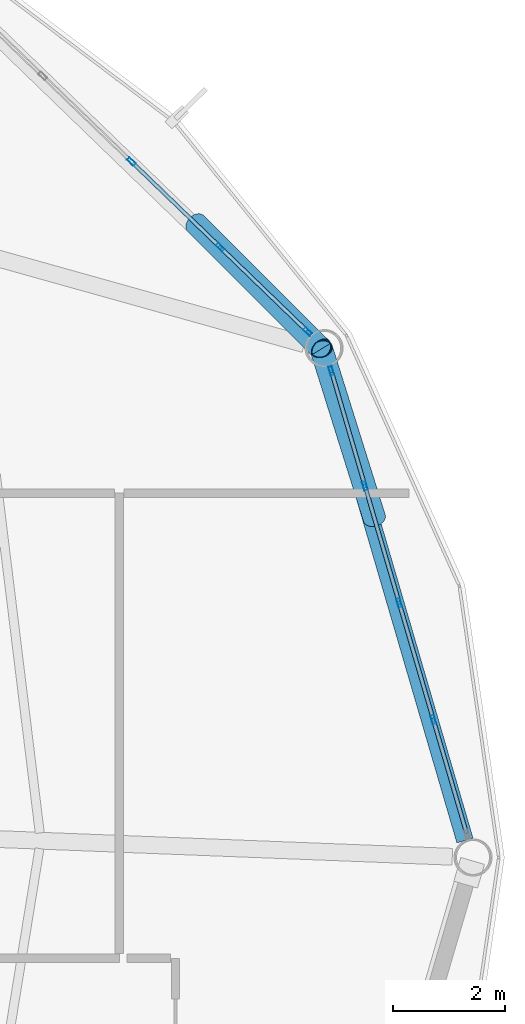
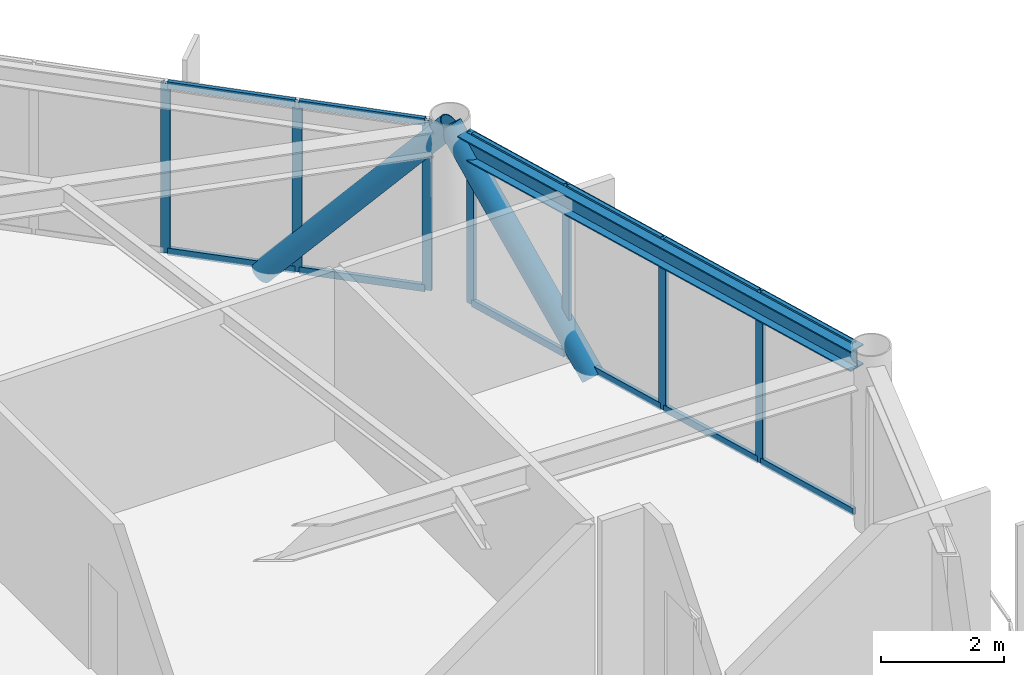
# One storey, part 16 of 26: 21 members, 1 beam, 2 elements without a shape of their own.
"""IFC4 building model written with IfcOpenShell, lengths in metres."""

from ifc_helpers import new_model, si_unit, direction, frame, origin, origin_2d, place, context, subcontext, project, spatial, hollow_rectangle, hollow_circle, i_section, extrude, material, layer, layer_set, material_profile, profile_set, type_object, element, aggregate, save


model = new_model("IFC4")

# Units and contexts
model_context = context("Model", 3, precision=1e-05, world=origin(), true_north=direction((0.0, 1.0)))
body_context = subcontext(model_context, "Body", "Model", "MODEL_VIEW")
ifc_project = project(units=[si_unit("LENGTHUNIT", "METRE"), si_unit("AREAUNIT", "SQUARE_METRE"), si_unit("VOLUMEUNIT", "CUBIC_METRE"), si_unit("PLANEANGLEUNIT", "RADIAN"), si_unit("MASSUNIT", "GRAM", prefix="KILO")], contexts=[model_context])

# Site, building, storey
site_placement = place(None, origin())
site = spatial("IfcSite", under=ifc_project, at=site_placement, CompositionType="ELEMENT")
building_placement = place(site_placement, origin())
building = spatial("IfcBuilding", under=site, at=building_placement, Name="Varnakorn Sky Granary", CompositionType="ELEMENT")
storey_placement = place(building_placement, frame((0.0, 0.0, 222.0)))
storey = spatial("IfcBuildingStorey", under=building, at=storey_placement, Name="L56", CompositionType="ELEMENT", Elevation=222.0)

# Beam
ifc_material_1 = material(Name="Steel S355JR", Category="steel")
ifc_material_profile_1 = material_profile(ifc_material_1, i_section(OverallWidth=0.300048828125, OverallDepth=0.39990234375, WebThickness=0.013427734375, FlangeThickness=0.02392578125, at=origin_2d()), Name="HE 400 B")
ifc_profile_set_1 = profile_set([ifc_material_profile_1], Name="Steel S355JR")
beam_type = type_object("IfcBeamType", Name="BM-SPD-Z4", PredefinedType="SPANDREL", material=ifc_profile_set_1)
beam_placement = place(storey_placement, frame((23.663818359375, 0.302490234375, 3.159912109375), z_axis=(-0.280394349961, 0.959884893365, 0.0), x_axis=(-0.959884893365, -0.280394349961, 0.0)))
element("IfcBeam", 1, at=beam_placement, inside=storey, type_object=beam_type, Name="Perimeter Spandrel Ring Beam RB01 L56", PredefinedType="SPANDREL", context=body_context, shape_type="SweptSolid", body=[
    extrude(i_section(OverallWidth=0.300048828125, OverallDepth=0.39990234375, WebThickness=0.013427734375, FlangeThickness=0.02392578125, at=origin_2d()), origin(), (0.0, 0.0, 1.0), 8.8193359375),
])

# Curtain wall, members
ifc_material_2 = material(Name="Anodised Bronze Aluminium Alloy 6063-T6", Category="aluminium")
ifc_layer = layer(ifc_material_2, 0.169921875, Name="Anodised Bronze Aluminium Alloy 6063-T6")
ifc_layer_set = layer_set([ifc_layer], Name="Anodised Bronze Aluminium Alloy 6063-T6")
curtain_wall_type = type_object("IfcCurtainWallType", Name="CW-LAB-1", PredefinedType="USERDEFINED", material=ifc_layer_set)
curtain_wall_1_placement = place(storey_placement, origin())
curtain_wall_1 = element("IfcCurtainWall", 2, at=curtain_wall_1_placement, inside=storey, type_object=curtain_wall_type, Name="Unitised Curtain Wall CW5 CW-L56-B01", ObjectType="CURTAIN WALL", PredefinedType="USERDEFINED")
ifc_material_profile_2 = material_profile(ifc_material_2, hollow_rectangle(XDim=0.06494140625, YDim=0.159912109375, WallThickness=0.00341796875, at=origin_2d()), Name="ALU MULL 65x160")
ifc_profile_set_2 = profile_set([ifc_material_profile_2], Name="Anodised Bronze Aluminium Alloy 6063-T6")
member_type_1 = type_object("IfcMemberType", Name="CW-LAB-1-MULL", PredefinedType="MULLION", material=ifc_profile_set_2)
member_1_placement = place(storey_placement, frame((21.279296875, 8.68212890625, 0.0), z_axis=(0.0, 0.0, 1.0), x_axis=(0.959779398669, 0.280755241964, 0.0)))
member_1 = element("IfcMember", 3, at=member_1_placement, type_object=member_type_1, Name="CW5 mullion 1", PredefinedType="MULLION", context=body_context, shape_type="SweptSolid", body=[
    extrude(hollow_rectangle(XDim=0.06494140625, YDim=0.159912109375, WallThickness=0.00341796875, at=origin_2d()), origin(), (0.0, 0.0, 1.0), 3.360107421875),
])
member_2_placement = place(storey_placement, frame((21.880126953125, 6.62841796875, 0.0), z_axis=(0.0, 0.0, 1.0), x_axis=(0.959779398669, 0.280755241964, 0.0)))
member_2 = element("IfcMember", 4, at=member_2_placement, type_object=member_type_1, Name="CW5 mullion 2", PredefinedType="MULLION", context=body_context, shape_type="SweptSolid", body=[
    extrude(hollow_rectangle(XDim=0.06494140625, YDim=0.159912109375, WallThickness=0.00341796875, at=origin_2d()), origin(), (0.0, 0.0, 1.0), 3.360107421875),
])
member_3_placement = place(storey_placement, frame((22.48974609375, 4.543701171875, 0.0), z_axis=(0.0, 0.0, 1.0), x_axis=(0.959779398669, 0.280755241964, 0.0)))
member_3 = element("IfcMember", 5, at=member_3_placement, type_object=member_type_1, Name="CW5 mullion 3", PredefinedType="MULLION", context=body_context, shape_type="SweptSolid", body=[
    extrude(hollow_rectangle(XDim=0.06494140625, YDim=0.159912109375, WallThickness=0.00341796875, at=origin_2d()), origin(), (0.0, 0.0, 1.0), 3.360107421875),
])
member_4_placement = place(storey_placement, frame((23.099609375, 2.458984375, 0.0), z_axis=(0.0, 0.0, 1.0), x_axis=(0.959779398669, 0.280755241964, 0.0)))
member_4 = element("IfcMember", 6, at=member_4_placement, type_object=member_type_1, Name="CW5 mullion 4", PredefinedType="MULLION", context=body_context, shape_type="SweptSolid", body=[
    extrude(hollow_rectangle(XDim=0.06494140625, YDim=0.159912109375, WallThickness=0.00341796875, at=origin_2d()), origin(), (0.0, 0.0, 1.0), 3.360107421875),
])

curtain_wall_2_placement = place(storey_placement, origin())
curtain_wall_2 = element("IfcCurtainWall", 7, at=curtain_wall_2_placement, inside=storey, type_object=curtain_wall_type, Name="Unitised Curtain Wall CW5 CW-L56-B02", ObjectType="CURTAIN WALL", PredefinedType="USERDEFINED")
member_5_placement = place(storey_placement, frame((17.7138671875, 12.413818359375, 0.0), z_axis=(0.0, 0.0, 1.0), x_axis=(0.694404067281, 0.719585291222, 0.0)))
member_5 = element("IfcMember", 8, at=member_5_placement, type_object=member_type_1, Name="CW5 mullion 3", PredefinedType="MULLION", context=body_context, shape_type="SweptSolid", body=[
    extrude(hollow_rectangle(XDim=0.06494140625, YDim=0.159912109375, WallThickness=0.00341796875, at=origin_2d()), origin(), (0.0, 0.0, 1.0), 3.360107421875),
])
member_6_placement = place(storey_placement, frame((19.296875, 10.885986328125, 0.0), z_axis=(0.0, 0.0, 1.0), x_axis=(0.694404067281, 0.719585291222, 0.0)))
member_6 = element("IfcMember", 9, at=member_6_placement, type_object=member_type_1, Name="CW5 mullion 4", PredefinedType="MULLION", context=body_context, shape_type="SweptSolid", body=[
    extrude(hollow_rectangle(XDim=0.06494140625, YDim=0.159912109375, WallThickness=0.00341796875, at=origin_2d()), origin(), (0.0, 0.0, 1.0), 3.360107421875),
])
member_7_placement = place(storey_placement, frame((20.856689453125, 9.380859375, 0.0), z_axis=(0.0, 0.0, 1.0), x_axis=(0.694404067281, 0.719585291222, 0.0)))
member_7 = element("IfcMember", 10, at=member_7_placement, type_object=member_type_1, Name="CW5 mullion 5", PredefinedType="MULLION", context=body_context, shape_type="SweptSolid", body=[
    extrude(hollow_rectangle(XDim=0.06494140625, YDim=0.159912109375, WallThickness=0.00341796875, at=origin_2d()), origin(), (0.0, 0.0, 1.0), 3.360107421875),
])

# Member
ifc_material_profile_3 = material_profile(ifc_material_2, hollow_rectangle(XDim=0.070068359375, YDim=0.139892578125, WallThickness=0.00341796875, at=origin_2d()), Name="ALU TRAN 70x140")
ifc_profile_set_3 = profile_set([ifc_material_profile_3], Name="Anodised Bronze Aluminium Alloy 6063-T6")
member_type_2 = type_object("IfcMemberType", Name="CW-LAB-1-TRAN", PredefinedType="USERDEFINED", material=ifc_profile_set_3)
member_8_placement = place(storey_placement, frame((21.288330078125, 8.65087890625, 0.034912109375), z_axis=(0.280777140781, -0.959772992543, 0.0), x_axis=(0.959772992543, 0.280777140781, 0.0)))
member_8 = element("IfcMember", 11, at=member_8_placement, type_object=member_type_2, Name="CW5 transom 1.1", ObjectType="TRANSOM", PredefinedType="USERDEFINED", context=body_context, shape_type="SweptSolid", body=[
    extrude(hollow_rectangle(XDim=0.070068359375, YDim=0.139892578125, WallThickness=0.00341796875, at=origin_2d()), origin(), (0.0, 0.0, 1.0), 2.07470703125),
])

member_9_placement = place(storey_placement, frame((21.288330078125, 8.65087890625, 3.324951171875), z_axis=(0.280777140781, -0.959772992543, 0.0), x_axis=(0.959772992543, 0.280777140781, 0.0)))
member_9 = element("IfcMember", 12, at=member_9_placement, type_object=member_type_2, Name="CW5 transom 1.2", ObjectType="TRANSOM", PredefinedType="USERDEFINED", context=body_context, shape_type="SweptSolid", body=[
    extrude(hollow_rectangle(XDim=0.070068359375, YDim=0.139892578125, WallThickness=0.00341796875, at=origin_2d()), origin(), (0.0, 0.0, 1.0), 2.07470703125),
])

member_10_placement = place(storey_placement, frame((21.88916015625, 6.59716796875, 0.034912109375), z_axis=(0.280760781886, -0.959777778111, 0.0), x_axis=(0.959777778111, 0.280760781886, 0.0)))
member_10 = element("IfcMember", 13, at=member_10_placement, type_object=member_type_2, Name="CW5 transom 2.1", ObjectType="TRANSOM", PredefinedType="USERDEFINED", context=body_context, shape_type="SweptSolid", body=[
    extrude(hollow_rectangle(XDim=0.070068359375, YDim=0.139892578125, WallThickness=0.00341796875, at=origin_2d()), origin(), (0.0, 0.0, 1.0), 2.10693359375),
])

member_11_placement = place(storey_placement, frame((21.88916015625, 6.59716796875, 3.324951171875), z_axis=(0.280760781886, -0.959777778111, 0.0), x_axis=(0.959777778111, 0.280760781886, 0.0)))
member_11 = element("IfcMember", 14, at=member_11_placement, type_object=member_type_2, Name="CW5 transom 2.2", ObjectType="TRANSOM", PredefinedType="USERDEFINED", context=body_context, shape_type="SweptSolid", body=[
    extrude(hollow_rectangle(XDim=0.070068359375, YDim=0.139892578125, WallThickness=0.00341796875, at=origin_2d()), origin(), (0.0, 0.0, 1.0), 2.10693359375),
])

member_12_placement = place(storey_placement, frame((22.4990234375, 4.512451171875, 0.034912109375), z_axis=(0.280760781886, -0.959777778111, 0.0), x_axis=(0.959777778111, 0.280760781886, 0.0)))
member_12 = element("IfcMember", 15, at=member_12_placement, type_object=member_type_2, Name="CW5 transom 3.1", ObjectType="TRANSOM", PredefinedType="USERDEFINED", context=body_context, shape_type="SweptSolid", body=[
    extrude(hollow_rectangle(XDim=0.070068359375, YDim=0.139892578125, WallThickness=0.00341796875, at=origin_2d()), origin(), (0.0, 0.0, 1.0), 2.10693359375),
])

member_13_placement = place(storey_placement, frame((22.4990234375, 4.512451171875, 3.324951171875), z_axis=(0.280760781886, -0.959777778111, 0.0), x_axis=(0.959777778111, 0.280760781886, 0.0)))
member_13 = element("IfcMember", 16, at=member_13_placement, type_object=member_type_2, Name="CW5 transom 3.2", ObjectType="TRANSOM", PredefinedType="USERDEFINED", context=body_context, shape_type="SweptSolid", body=[
    extrude(hollow_rectangle(XDim=0.070068359375, YDim=0.139892578125, WallThickness=0.00341796875, at=origin_2d()), origin(), (0.0, 0.0, 1.0), 2.10693359375),
])

member_14_placement = place(storey_placement, frame((23.10888671875, 2.427734375, 0.034912109375), z_axis=(0.280700440768, -0.959795427449, 0.0), x_axis=(0.959795427449, 0.280700440768, 0.0)))
member_14 = element("IfcMember", 17, at=member_14_placement, type_object=member_type_2, Name="CW5 transom 4.1", ObjectType="TRANSOM", PredefinedType="USERDEFINED", context=body_context, shape_type="SweptSolid", body=[
    extrude(hollow_rectangle(XDim=0.070068359375, YDim=0.139892578125, WallThickness=0.00341796875, at=origin_2d()), origin(), (0.0, 0.0, 1.0), 2.074462890625),
])

member_15_placement = place(storey_placement, frame((23.10888671875, 2.427734375, 3.324951171875), z_axis=(0.280700440768, -0.959795427449, 0.0), x_axis=(0.959795427449, 0.280700440768, 0.0)))
member_15 = element("IfcMember", 18, at=member_15_placement, type_object=member_type_2, Name="CW5 transom 4.2", ObjectType="TRANSOM", PredefinedType="USERDEFINED", context=body_context, shape_type="SweptSolid", body=[
    extrude(hollow_rectangle(XDim=0.070068359375, YDim=0.139892578125, WallThickness=0.00341796875, at=origin_2d()), origin(), (0.0, 0.0, 1.0), 2.074462890625),
])

aggregate(curtain_wall_1, [member_1, member_2, member_3, member_4, member_8, member_9, member_10, member_11, member_12, member_13, member_14, member_15])

member_16_placement = place(storey_placement, frame((17.7373046875, 12.39111328125, 0.034912109375), z_axis=(0.719629989009, -0.694357745632, 0.0), x_axis=(0.694357745632, 0.719629989009, 0.0)))
member_16 = element("IfcMember", 19, at=member_16_placement, type_object=member_type_2, Name="CW5 transom 3.1", ObjectType="TRANSOM", PredefinedType="USERDEFINED", context=body_context, shape_type="SweptSolid", body=[
    extrude(hollow_rectangle(XDim=0.070068359375, YDim=0.139892578125, WallThickness=0.00341796875, at=origin_2d()), origin(), (0.0, 0.0, 1.0), 2.135009765625),
])

member_17_placement = place(storey_placement, frame((17.7373046875, 12.39111328125, 3.324951171875), z_axis=(0.719629989009, -0.694357745632, 0.0), x_axis=(0.694357745632, 0.719629989009, 0.0)))
member_17 = element("IfcMember", 20, at=member_17_placement, type_object=member_type_2, Name="CW5 transom 3.2", ObjectType="TRANSOM", PredefinedType="USERDEFINED", context=body_context, shape_type="SweptSolid", body=[
    extrude(hollow_rectangle(XDim=0.070068359375, YDim=0.139892578125, WallThickness=0.00341796875, at=origin_2d()), origin(), (0.0, 0.0, 1.0), 2.135009765625),
])

member_18_placement = place(storey_placement, frame((19.3203125, 10.863525390625, 0.034912109375), z_axis=(0.71953549209, -0.69445566858, 0.0), x_axis=(0.69445566858, 0.71953549209, 0.0)))
member_18 = element("IfcMember", 21, at=member_18_placement, type_object=member_type_2, Name="CW5 transom 4.1", ObjectType="TRANSOM", PredefinedType="USERDEFINED", context=body_context, shape_type="SweptSolid", body=[
    extrude(hollow_rectangle(XDim=0.070068359375, YDim=0.139892578125, WallThickness=0.00341796875, at=origin_2d()), origin(), (0.0, 0.0, 1.0), 2.102783203125),
])

member_19_placement = place(storey_placement, frame((19.3203125, 10.863525390625, 3.324951171875), z_axis=(0.71953549209, -0.69445566858, 0.0), x_axis=(0.69445566858, 0.71953549209, 0.0)))
member_19 = element("IfcMember", 22, at=member_19_placement, type_object=member_type_2, Name="CW5 transom 4.2", ObjectType="TRANSOM", PredefinedType="USERDEFINED", context=body_context, shape_type="SweptSolid", body=[
    extrude(hollow_rectangle(XDim=0.070068359375, YDim=0.139892578125, WallThickness=0.00341796875, at=origin_2d()), origin(), (0.0, 0.0, 1.0), 2.102783203125),
])

aggregate(curtain_wall_2, [member_5, member_6, member_7, member_16, member_17, member_18, member_19])

# Members
ifc_material_3 = material(Name="Steel S460M", Category="steel")
ifc_material_profile_4 = material_profile(ifc_material_3, hollow_circle(Radius=0.203125, WallThickness=0.01611328125, at=origin_2d()), Name="CHS 406.4x16")
ifc_profile_set_4 = profile_set([ifc_material_profile_4], Name="Steel S460M")
member_type_3 = type_object("IfcMemberType", Name="MB-DIAG-T4", PredefinedType="BRACE", material=ifc_profile_set_4)
member_20_placement = place(storey_placement, frame((22.046875, 6.058349609375, -0.1298828125), z_axis=(-0.200622208187, 0.640102613035, 0.741632910791), x_axis=(-0.954229178866, -0.29907636851, 0.0)))
element("IfcMember", 23, at=member_20_placement, inside=storey, type_object=member_type_3, Name="Perimeter CHS Diagrid Brace DG01 L56", PredefinedType="BRACE", context=body_context, shape_type="SweptSolid", body=[
    extrude(hollow_circle(Radius=0.203125, WallThickness=0.01611328125, at=origin_2d()), origin(), (0.0, 0.0, 1.0), 4.705810546875),
])
member_21_placement = place(storey_placement, frame((18.86279296875, 11.304931640625, -0.1298828125), z_axis=(0.475518350009, -0.474326314908, 0.740875728979), x_axis=(0.706218820893, 0.707993627808, 0.0)))
element("IfcMember", 24, at=member_21_placement, inside=storey, type_object=member_type_3, Name="Perimeter CHS Diagrid Brace DG02 L56", PredefinedType="BRACE", context=body_context, shape_type="SweptSolid", body=[
    extrude(hollow_circle(Radius=0.203125, WallThickness=0.01611328125, at=origin_2d()), origin(), (0.0, 0.0, 1.0), 4.710693359375),
])

save(model, "model.ifc")
